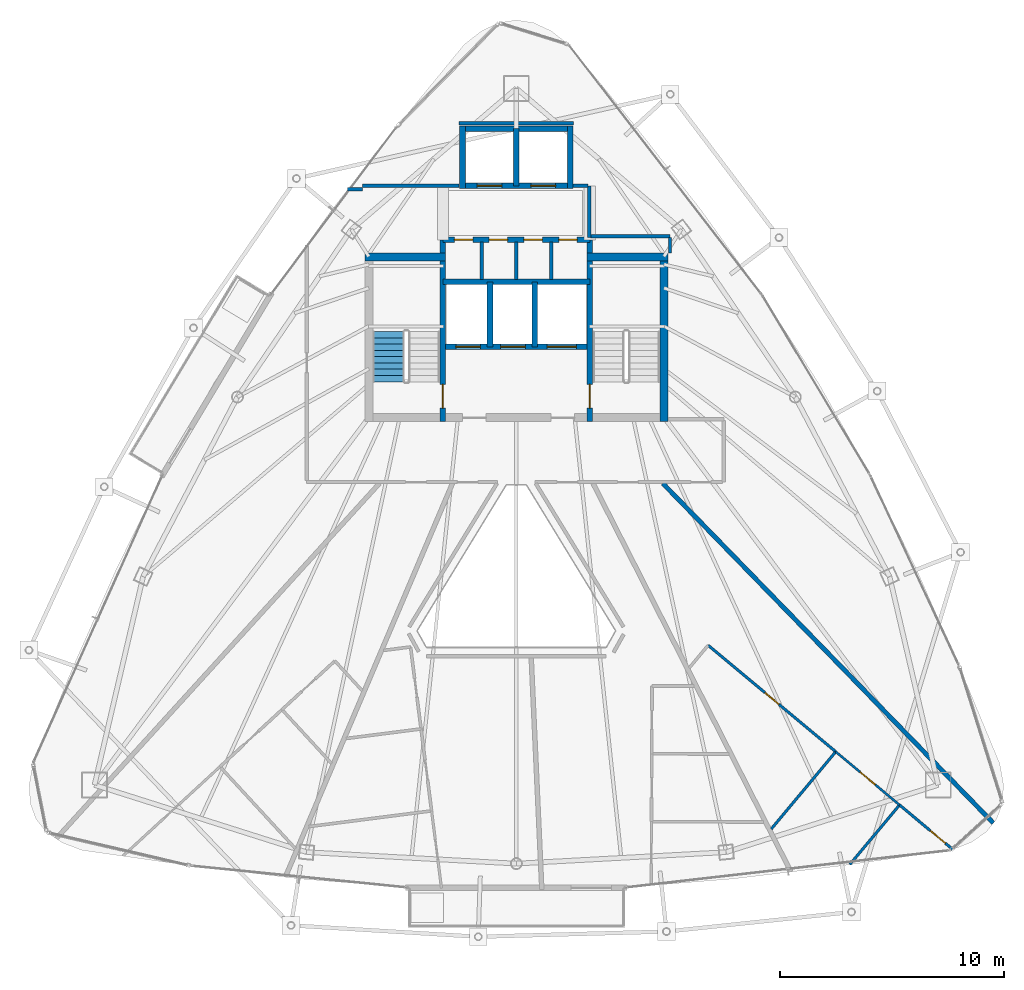
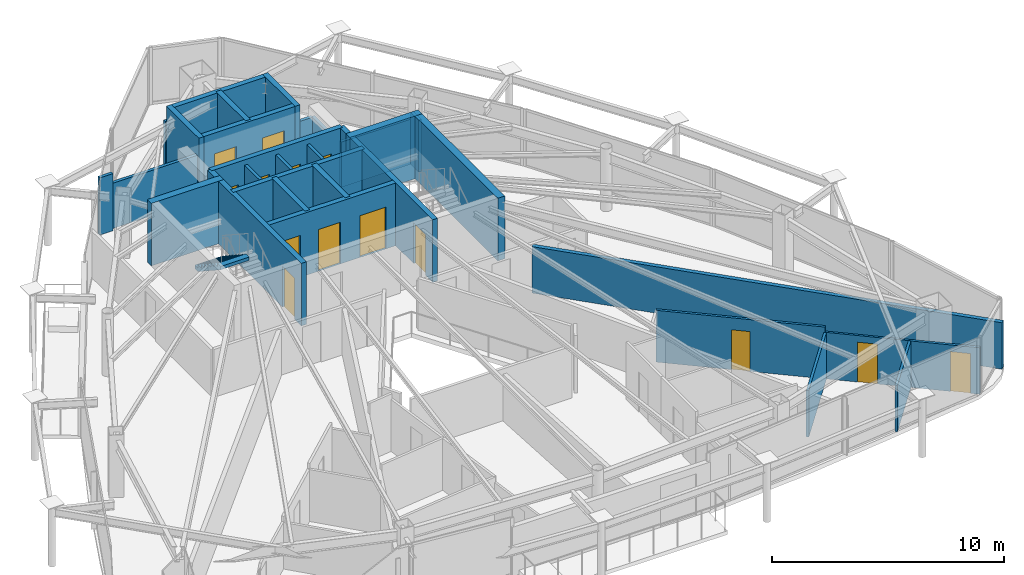
# One storey, part 27 of 30: 31 walls, 14 doors, 1 stair flight, 14 openings, 1 element without a shape of its own.
"""IFC4 building model written with IfcOpenShell, lengths in metres."""

from ifc_helpers import new_model, si_unit, direction, frame, frame_2d, origin, place, context, subcontext, project, spatial, polyline, rectangle, outline, extrude, material, layer, layer_set, type_object, element, fill, aggregate, save


model = new_model("IFC4")

# Units and contexts
model_context = context("Model", 3, precision=1e-05, world=origin(), true_north=direction((0.0, 1.0)))
body_context = subcontext(model_context, "Body", "Model", "MODEL_VIEW")
ifc_project = project(units=[si_unit("LENGTHUNIT", "METRE"), si_unit("AREAUNIT", "SQUARE_METRE"), si_unit("VOLUMEUNIT", "CUBIC_METRE"), si_unit("PLANEANGLEUNIT", "RADIAN"), si_unit("MASSUNIT", "GRAM", prefix="KILO")], contexts=[model_context])

# Site, building, storey
site_placement = place(None, origin())
site = spatial("IfcSite", under=ifc_project, at=site_placement, CompositionType="ELEMENT")
building_placement = place(site_placement, origin())
building = spatial("IfcBuilding", under=site, at=building_placement, Name="Orvanel Arch Residences", CompositionType="ELEMENT")
storey_placement = place(building_placement, frame((0.0, 0.0, 273.35009765625)))
storey = spatial("IfcBuildingStorey", under=building, at=storey_placement, Name="L78", CompositionType="ELEMENT", Elevation=273.35009765625)

# Wall, opening, door
ifc_material_1 = material(Name="Concrete N50 (50 MPa)", Category="concrete")
ifc_layer_1 = layer(ifc_material_1, 0.25)
ifc_layer_set_1 = layer_set([ifc_layer_1], Name="Concrete N50 (50 MPa)")
wall_type_1 = type_object("IfcWallType", Name="SW-CORE-250", PredefinedType="SHEAR", material=ifc_layer_set_1)
wall_1_placement = place(storey_placement, frame((29.72509765625, 26.550048828125, 0.0), z_axis=(0.0, 0.0, 1.0), x_axis=(0.0, 1.0, 0.0)))
wall_1 = element("IfcWall", 1, at=wall_1_placement, inside=storey, type_object=wall_type_1, Name="L78 West Inner Core Spine Shear Wall", PredefinedType="SHEAR", context=body_context, shape_type="SweptSolid", body=[
    extrude(rectangle(XDim=8.099853515625, YDim=0.25, at=frame_2d((4.0498046875, 0.0))), origin(), (0.0, 0.0, 1.0), 3.2998046875),
])
opening_1_placement = place(wall_1_placement, frame((0.60009765625, 0.0, 0.0)))
opening_1 = element("IfcOpeningElement", 2, at=opening_1_placement, cuts=wall_1, Name="Opening DF-120", PredefinedType="OPENING", context=body_context, shape_type="SweptSolid", body=[
    extrude(rectangle(XDim=1.050048828125, YDim=2.14990234375, at=frame_2d((0.52490234375, 1.074951171875))), frame((0.0, 0.135009765625, 0.0), z_axis=(0.0, -1.0, 0.0), x_axis=(1.0, 0.0, 0.0)), (0.0, 0.0, 1.0), 0.27001953125),
])
ifc_material_2 = material(Name="Galvanised steel fire-resisting door assembly", Category="steel")
door_type_1 = type_object("IfcDoorType", Name="DR-FD120-1050", OperationType="NOTDEFINED", PredefinedType="DOOR", material=ifc_material_2)
door_1_placement = place(opening_1_placement, origin())
door_1 = element("IfcDoor", 3, at=door_1_placement, inside=storey, type_object=door_type_1, Name="DR-L78-ST1 L78 Stair 1 Fire Door", OperationType="SINGLE_SWING_LEFT", OverallHeight=2.14990234375, OverallWidth=1.050048828125, PredefinedType="DOOR", context=body_context, shape_type="SweptSolid", body=[
    extrude(rectangle(XDim=1.050048828125, YDim=2.14990234375, at=frame_2d((0.52490234375, 1.074951171875))), frame((0.0, 0.02490234375, 0.0), z_axis=(0.0, -1.0, 0.0), x_axis=(1.0, 0.0, 0.0)), (0.0, 0.0, 1.0), 0.050048828125),
])
fill(opening_1, door_1)

wall_2_placement = place(storey_placement, frame((36.27490234375, 26.550048828125, 0.0), z_axis=(0.0, 0.0, 1.0), x_axis=(0.0, 1.0, 0.0)))
wall_2 = element("IfcWall", 4, at=wall_2_placement, inside=storey, type_object=wall_type_1, Name="L78 East Inner Core Spine Shear Wall", PredefinedType="SHEAR", context=body_context, shape_type="SweptSolid", body=[
    extrude(rectangle(XDim=8.099853515625, YDim=0.25, at=frame_2d((4.0498046875, 0.0))), origin(), (0.0, 0.0, 1.0), 3.2998046875),
])
opening_2_placement = place(wall_2_placement, frame((0.60009765625, 0.0, 0.0)))
opening_2 = element("IfcOpeningElement", 5, at=opening_2_placement, cuts=wall_2, Name="Opening DF-120", PredefinedType="OPENING", context=body_context, shape_type="SweptSolid", body=[
    extrude(rectangle(XDim=1.050048828125, YDim=2.14990234375, at=frame_2d((0.52490234375, 1.074951171875))), frame((0.0, 0.135009765625, 0.0), z_axis=(0.0, -1.0, 0.0), x_axis=(1.0, 0.0, 0.0)), (0.0, 0.0, 1.0), 0.27001953125),
])
door_2_placement = place(opening_2_placement, origin())
door_2 = element("IfcDoor", 6, at=door_2_placement, inside=storey, type_object=door_type_1, Name="DR-L78-ST2 L78 Stair 2 Fire Door", OperationType="SINGLE_SWING_RIGHT", OverallHeight=2.14990234375, OverallWidth=1.050048828125, PredefinedType="DOOR", context=body_context, shape_type="SweptSolid", body=[
    extrude(rectangle(XDim=1.050048828125, YDim=2.14990234375, at=frame_2d((0.52490234375, 1.074951171875))), frame((0.0, 0.02490234375, 0.0), z_axis=(0.0, -1.0, 0.0), x_axis=(1.0, 0.0, 0.0)), (0.0, 0.0, 1.0), 0.050048828125),
])
fill(opening_2, door_2)

# Wall, openings, doors
wall_3_placement = place(storey_placement, frame((36.27490234375, 29.875, 0.0), z_axis=(0.0, 0.0, 1.0), x_axis=(-1.0, 0.0, 0.0)))
wall_3 = element("IfcWall", 7, at=wall_3_placement, inside=storey, type_object=wall_type_1, Name="L78 Emergency Lift Front Core Shear Wall", PredefinedType="SHEAR", context=body_context, shape_type="SweptSolid", body=[
    extrude(rectangle(XDim=6.5498046875, YDim=0.25, at=frame_2d((3.27490234375, 0.0))), origin(), (0.0, 0.0, 1.0), 3.2998046875),
])
opening_3_placement = place(wall_3_placement, frame((4.875, 0.0, 0.0)))
opening_3 = element("IfcOpeningElement", 8, at=opening_3_placement, cuts=wall_3, Name="Opening LD-110", PredefinedType="OPENING", context=body_context, shape_type="SweptSolid", body=[
    extrude(rectangle(XDim=1.10009765625, YDim=2.199951171875, at=frame_2d((0.550048828125, 1.10009765625))), frame((0.0, 0.135009765625, 0.0), z_axis=(0.0, -1.0, 0.0), x_axis=(1.0, 0.0, 0.0)), (0.0, 0.0, 1.0), 0.27001953125),
])
opening_4_placement = place(wall_3_placement, frame((2.875, 0.0, 0.0)))
opening_4 = element("IfcOpeningElement", 9, at=opening_4_placement, cuts=wall_3, Name="Opening LD-110", PredefinedType="OPENING", context=body_context, shape_type="SweptSolid", body=[
    extrude(rectangle(XDim=1.10009765625, YDim=2.199951171875, at=frame_2d((0.550048828125, 1.10009765625))), frame((0.0, 0.135009765625, 0.0), z_axis=(0.0, -1.0, 0.0), x_axis=(1.0, 0.0, 0.0)), (0.0, 0.0, 1.0), 0.27001953125),
])
opening_5_placement = place(wall_3_placement, frame((0.60009765625, 0.0, 0.0)))
opening_5 = element("IfcOpeningElement", 10, at=opening_5_placement, cuts=wall_3, Name="Opening LD-130", PredefinedType="OPENING", context=body_context, shape_type="SweptSolid", body=[
    extrude(rectangle(XDim=1.300048828125, YDim=2.199951171875, at=frame_2d((0.64990234375, 1.10009765625))), frame((0.0, 0.135009765625, 0.0), z_axis=(0.0, -1.0, 0.0), x_axis=(1.0, 0.0, 0.0)), (0.0, 0.0, 1.0), 0.27001953125),
])
door_type_2 = type_object("IfcDoorType", Name="DR-LFT-1100", OperationType="NOTDEFINED", PredefinedType="DOOR", material=ifc_material_2)
door_3_placement = place(opening_3_placement, origin())
door_3 = element("IfcDoor", 11, at=door_3_placement, inside=storey, type_object=door_type_2, Name="LD-F1-L78 L78 Lift F1 Sliding Landing Door", OperationType="DOUBLE_DOOR_SLIDING", OverallHeight=2.199951171875, OverallWidth=1.10009765625, PredefinedType="DOOR", context=body_context, shape_type="SweptSolid", body=[
    extrude(rectangle(XDim=1.10009765625, YDim=2.199951171875, at=frame_2d((0.550048828125, 1.10009765625))), frame((0.0, 0.02490234375, 0.0), z_axis=(0.0, -1.0, 0.0), x_axis=(1.0, 0.0, 0.0)), (0.0, 0.0, 1.0), 0.050048828125),
])
fill(opening_3, door_3)
door_4_placement = place(opening_4_placement, origin())
door_4 = element("IfcDoor", 12, at=door_4_placement, inside=storey, type_object=door_type_2, Name="LD-F2-L78 L78 Lift F2 Sliding Landing Door", OperationType="DOUBLE_DOOR_SLIDING", OverallHeight=2.199951171875, OverallWidth=1.10009765625, PredefinedType="DOOR", context=body_context, shape_type="SweptSolid", body=[
    extrude(rectangle(XDim=1.10009765625, YDim=2.199951171875, at=frame_2d((0.550048828125, 1.10009765625))), frame((0.0, 0.02490234375, 0.0), z_axis=(0.0, -1.0, 0.0), x_axis=(1.0, 0.0, 0.0)), (0.0, 0.0, 1.0), 0.050048828125),
])
fill(opening_4, door_4)
door_type_3 = type_object("IfcDoorType", Name="DR-LFT-1300", OperationType="NOTDEFINED", PredefinedType="DOOR", material=ifc_material_2)
door_5_placement = place(opening_5_placement, origin())
door_5 = element("IfcDoor", 13, at=door_5_placement, inside=storey, type_object=door_type_3, Name="LD-G1-L78 L78 Lift G1 Sliding Landing Door", OperationType="DOUBLE_DOOR_SLIDING", OverallHeight=2.199951171875, OverallWidth=1.300048828125, PredefinedType="DOOR", context=body_context, shape_type="SweptSolid", body=[
    extrude(rectangle(XDim=1.300048828125, YDim=2.199951171875, at=frame_2d((0.64990234375, 1.10009765625))), frame((0.0, 0.02490234375, 0.0), z_axis=(0.0, -1.0, 0.0), x_axis=(1.0, 0.0, 0.0)), (0.0, 0.0, 1.0), 0.050048828125),
])
fill(opening_5, door_5)

# Walls
wall_4_placement = place(storey_placement, frame((29.72509765625, 32.77490234375, 0.0), z_axis=(0.0, 0.0, 1.0), x_axis=(1.0, 0.0, 0.0)))
element("IfcWall", 14, at=wall_4_placement, inside=storey, type_object=wall_type_1, Name="L78 Emergency Lift Back Core Shear Wall", PredefinedType="SHEAR", context=body_context, shape_type="SweptSolid", body=[
    extrude(rectangle(XDim=6.5498046875, YDim=0.25, at=frame_2d((3.27490234375, 0.0))), origin(), (0.0, 0.0, 1.0), 3.2998046875),
])
for number, where, z_axis, x_axis, name in (
    (15, (31.824951171875, 29.875, 0.0), (0.0, 0.0, 1.0), (0.0, 1.0, 0.0), "L78 Emergency Lift Inter-Shaft Wall F12"),
    (16, (33.824951171875, 29.875, 0.0), (0.0, 0.0, 1.0), (0.0, 1.0, 0.0), "L78 Emergency Lift Inter-Shaft Wall F2G"),
):
    element("IfcWall", number, at=place(storey_placement, frame(where, z_axis=z_axis, x_axis=x_axis)), inside=storey, type_object=wall_type_1, Name=name, PredefinedType="SHEAR", context=body_context, shape_type="SweptSolid", body=[
        extrude(rectangle(XDim=2.89990234375, YDim=0.25, at=frame_2d((1.449951171875, 0.0))), origin(), (0.0, 0.0, 1.0), 3.2998046875),
    ])

# Wall, openings, doors
wall_5_placement = place(storey_placement, frame((29.72509765625, 34.64990234375, 0.0), z_axis=(0.0, 0.0, 1.0), x_axis=(1.0, 0.0, 0.0)))
wall_5 = element("IfcWall", 17, at=wall_5_placement, inside=storey, type_object=wall_type_1, Name="L78 Core Service Band North Shear Wall", PredefinedType="SHEAR", context=body_context, shape_type="SweptSolid", body=[
    extrude(rectangle(XDim=6.5498046875, YDim=0.25, at=frame_2d((3.27490234375, 0.0))), origin(), (0.0, 0.0, 1.0), 3.2998046875),
])
opening_6_placement = place(wall_5_placement, frame((0.514892578125, 0.0, 0.0)))
opening_6 = element("IfcOpeningElement", 18, at=opening_6_placement, cuts=wall_5, Name="Opening DS-082", PredefinedType="OPENING", context=body_context, shape_type="SweptSolid", body=[
    extrude(rectangle(XDim=0.820068359375, YDim=2.10009765625, at=frame_2d((0.41015625, 1.050048828125))), frame((0.0, 0.135009765625, 0.0), z_axis=(0.0, -1.0, 0.0), x_axis=(1.0, 0.0, 0.0)), (0.0, 0.0, 1.0), 0.27001953125),
])
opening_7_placement = place(wall_5_placement, frame((2.06494140625, 0.0, 0.0)))
opening_7 = element("IfcOpeningElement", 19, at=opening_7_placement, cuts=wall_5, Name="Opening DS-082", PredefinedType="OPENING", context=body_context, shape_type="SweptSolid", body=[
    extrude(rectangle(XDim=0.820068359375, YDim=2.10009765625, at=frame_2d((0.41015625, 1.050048828125))), frame((0.0, 0.135009765625, 0.0), z_axis=(0.0, -1.0, 0.0), x_axis=(1.0, 0.0, 0.0)), (0.0, 0.0, 1.0), 0.27001953125),
])
opening_8_placement = place(wall_5_placement, frame((3.614990234375, 0.0, 0.0)))
opening_8 = element("IfcOpeningElement", 20, at=opening_8_placement, cuts=wall_5, Name="Opening DS-082", PredefinedType="OPENING", context=body_context, shape_type="SweptSolid", body=[
    extrude(rectangle(XDim=0.820068359375, YDim=2.10009765625, at=frame_2d((0.41015625, 1.050048828125))), frame((0.0, 0.135009765625, 0.0), z_axis=(0.0, -1.0, 0.0), x_axis=(1.0, 0.0, 0.0)), (0.0, 0.0, 1.0), 0.27001953125),
])
opening_9_placement = place(wall_5_placement, frame((5.1650390625, 0.0, 0.0)))
opening_9 = element("IfcOpeningElement", 21, at=opening_9_placement, cuts=wall_5, Name="Opening DS-082", PredefinedType="OPENING", context=body_context, shape_type="SweptSolid", body=[
    extrude(rectangle(XDim=0.820068359375, YDim=2.10009765625, at=frame_2d((0.41015625, 1.050048828125))), frame((0.0, 0.135009765625, 0.0), z_axis=(0.0, -1.0, 0.0), x_axis=(1.0, 0.0, 0.0)), (0.0, 0.0, 1.0), 0.27001953125),
])
door_type_4 = type_object("IfcDoorType", Name="DR-SVC-820", OperationType="NOTDEFINED", PredefinedType="DOOR", material=ifc_material_2)
door_6_placement = place(opening_6_placement, origin())
door_6 = element("IfcDoor", 22, at=door_6_placement, inside=storey, type_object=door_type_4, Name="DR-L78-CSVC-1 L78 Linen Store Door", OperationType="SINGLE_SWING_LEFT", OverallHeight=2.10009765625, OverallWidth=0.820068359375, PredefinedType="DOOR", context=body_context, shape_type="SweptSolid", body=[
    extrude(rectangle(XDim=0.820068359375, YDim=2.10009765625, at=frame_2d((0.41015625, 1.050048828125))), frame((0.0, 0.02490234375, 0.0), z_axis=(0.0, -1.0, 0.0), x_axis=(1.0, 0.0, 0.0)), (0.0, 0.0, 1.0), 0.050048828125),
])
fill(opening_6, door_6)
door_7_placement = place(opening_7_placement, origin())
door_7 = element("IfcDoor", 23, at=door_7_placement, inside=storey, type_object=door_type_4, Name="DR-L78-CSVC-2 L78 Cleaner's Store Door", OperationType="SINGLE_SWING_LEFT", OverallHeight=2.10009765625, OverallWidth=0.820068359375, PredefinedType="DOOR", context=body_context, shape_type="SweptSolid", body=[
    extrude(rectangle(XDim=0.820068359375, YDim=2.10009765625, at=frame_2d((0.41015625, 1.050048828125))), frame((0.0, 0.02490234375, 0.0), z_axis=(0.0, -1.0, 0.0), x_axis=(1.0, 0.0, 0.0)), (0.0, 0.0, 1.0), 0.050048828125),
])
fill(opening_7, door_7)
door_8_placement = place(opening_8_placement, origin())
door_8 = element("IfcDoor", 24, at=door_8_placement, inside=storey, type_object=door_type_4, Name="DR-L78-CSVC-3 L78 Electrical Meter Store Door", OperationType="SINGLE_SWING_LEFT", OverallHeight=2.10009765625, OverallWidth=0.820068359375, PredefinedType="DOOR", context=body_context, shape_type="SweptSolid", body=[
    extrude(rectangle(XDim=0.820068359375, YDim=2.10009765625, at=frame_2d((0.41015625, 1.050048828125))), frame((0.0, 0.02490234375, 0.0), z_axis=(0.0, -1.0, 0.0), x_axis=(1.0, 0.0, 0.0)), (0.0, 0.0, 1.0), 0.050048828125),
])
fill(opening_8, door_8)
door_9_placement = place(opening_9_placement, origin())
door_9 = element("IfcDoor", 25, at=door_9_placement, inside=storey, type_object=door_type_4, Name="DR-L78-CSVC-4 L78 Housekeeping Supply Store Door", OperationType="SINGLE_SWING_LEFT", OverallHeight=2.10009765625, OverallWidth=0.820068359375, PredefinedType="DOOR", context=body_context, shape_type="SweptSolid", body=[
    extrude(rectangle(XDim=0.820068359375, YDim=2.10009765625, at=frame_2d((0.41015625, 1.050048828125))), frame((0.0, 0.02490234375, 0.0), z_axis=(0.0, -1.0, 0.0), x_axis=(1.0, 0.0, 0.0)), (0.0, 0.0, 1.0), 0.050048828125),
])
fill(opening_9, door_9)

wall_6_placement = place(storey_placement, frame((35.52490234375, 37.050048828125, 0.0), z_axis=(0.0, 0.0, 1.0), x_axis=(-1.0, 0.0, 0.0)))
wall_6 = element("IfcWall", 26, at=wall_6_placement, inside=storey, type_object=wall_type_1, Name="L78 Passenger Lift Bank Front Shear Wall", PredefinedType="SHEAR", context=body_context, shape_type="SweptSolid", body=[
    extrude(rectangle(XDim=5.0498046875, YDim=0.25, at=frame_2d((2.52490234375, 0.0))), origin(), (0.0, 0.0, 1.0), 3.2998046875),
])
opening_10_placement = place(wall_6_placement, frame((3.175048828125, 0.0, 0.0)))
opening_10 = element("IfcOpeningElement", 27, at=opening_10_placement, cuts=wall_6, Name="Opening LD-110", PredefinedType="OPENING", context=body_context, shape_type="SweptSolid", body=[
    extrude(rectangle(XDim=1.10009765625, YDim=2.199951171875, at=frame_2d((0.550048828125, 1.10009765625))), frame((0.0, 0.135009765625, 0.0), z_axis=(0.0, -1.0, 0.0), x_axis=(1.0, 0.0, 0.0)), (0.0, 0.0, 1.0), 0.27001953125),
])
opening_11_placement = place(wall_6_placement, frame((0.77490234375, 0.0, 0.0)))
opening_11 = element("IfcOpeningElement", 28, at=opening_11_placement, cuts=wall_6, Name="Opening LD-110", PredefinedType="OPENING", context=body_context, shape_type="SweptSolid", body=[
    extrude(rectangle(XDim=1.10009765625, YDim=2.199951171875, at=frame_2d((0.550048828125, 1.10009765625))), frame((0.0, 0.135009765625, 0.0), z_axis=(0.0, -1.0, 0.0), x_axis=(1.0, 0.0, 0.0)), (0.0, 0.0, 1.0), 0.27001953125),
])
door_10_placement = place(opening_10_placement, origin())
door_10 = element("IfcDoor", 29, at=door_10_placement, inside=storey, type_object=door_type_2, Name="LD-P5-L78 L78 Passenger Lift P5 Sliding Landing Door", OperationType="DOUBLE_DOOR_SLIDING", OverallHeight=2.199951171875, OverallWidth=1.10009765625, PredefinedType="DOOR", context=body_context, shape_type="SweptSolid", body=[
    extrude(rectangle(XDim=1.10009765625, YDim=2.199951171875, at=frame_2d((0.550048828125, 1.10009765625))), frame((0.0, 0.02490234375, 0.0), z_axis=(0.0, -1.0, 0.0), x_axis=(1.0, 0.0, 0.0)), (0.0, 0.0, 1.0), 0.050048828125),
])
fill(opening_10, door_10)
door_11_placement = place(opening_11_placement, origin())
door_11 = element("IfcDoor", 30, at=door_11_placement, inside=storey, type_object=door_type_2, Name="LD-P6-L78 L78 Passenger Lift P6 Sliding Landing Door", OperationType="DOUBLE_DOOR_SLIDING", OverallHeight=2.199951171875, OverallWidth=1.10009765625, PredefinedType="DOOR", context=body_context, shape_type="SweptSolid", body=[
    extrude(rectangle(XDim=1.10009765625, YDim=2.199951171875, at=frame_2d((0.550048828125, 1.10009765625))), frame((0.0, 0.02490234375, 0.0), z_axis=(0.0, -1.0, 0.0), x_axis=(1.0, 0.0, 0.0)), (0.0, 0.0, 1.0), 0.050048828125),
])
fill(opening_11, door_11)

# Walls
wall_7_placement = place(storey_placement, frame((30.47509765625, 39.60009765625, 0.0), z_axis=(0.0, 0.0, 1.0), x_axis=(1.0, 0.0, 0.0)))
element("IfcWall", 31, at=wall_7_placement, inside=storey, type_object=wall_type_1, Name="L78 Passenger Lift Bank North Shear Wall", PredefinedType="SHEAR", context=body_context, shape_type="SweptSolid", body=[
    extrude(rectangle(XDim=5.0498046875, YDim=0.25, at=frame_2d((2.52490234375, 0.0))), origin(), (0.0, 0.0, 1.0), 3.2998046875),
])
for number, where, z_axis, x_axis, name in (
    (32, (30.60009765625, 36.925048828125, 0.0), (0.0, 0.0, 1.0), (0.0, 1.0, 0.0), "L78 Passenger Lift Bank West Shear Wall"),
    (33, (35.39990234375, 36.925048828125, 0.0), (0.0, 0.0, 1.0), (0.0, 1.0, 0.0), "L78 Passenger Lift Bank East Shear Wall"),
):
    element("IfcWall", number, at=place(storey_placement, frame(where, z_axis=z_axis, x_axis=x_axis)), inside=storey, type_object=wall_type_1, Name=name, PredefinedType="SHEAR", context=body_context, shape_type="SweptSolid", body=[
        extrude(rectangle(XDim=2.800048828125, YDim=0.25, at=frame_2d((1.39990234375, 0.0))), origin(), (0.0, 0.0, 1.0), 3.2998046875),
    ])
wall_8_placement = place(storey_placement, frame((33.0, 37.050048828125, 0.0), z_axis=(0.0, 0.0, 1.0), x_axis=(0.0, 1.0, 0.0)))
element("IfcWall", 34, at=wall_8_placement, inside=storey, type_object=wall_type_1, Name="L78 Passenger Lift Inter-Shaft Wall P56", PredefinedType="SHEAR", context=body_context, shape_type="SweptSolid", body=[
    extrude(rectangle(XDim=2.550048828125, YDim=0.25, at=frame_2d((1.27490234375, 0.0))), origin(), (0.0, 0.0, 1.0), 3.2998046875),
])
ifc_layer_2 = layer(ifc_material_1, 0.35009765625)
ifc_layer_set_2 = layer_set([ifc_layer_2], Name="Concrete N50 (50 MPa)")
wall_type_2 = type_object("IfcWallType", Name="SW-CORE-350", PredefinedType="SHEAR", material=ifc_layer_set_2)
wall_9_placement = place(storey_placement, frame((26.25, 33.875, 0.0), z_axis=(0.0, 0.0, 1.0), x_axis=(1.0, 0.0, 0.0)))
element("IfcWall", 35, at=wall_9_placement, inside=storey, type_object=wall_type_2, Name="L78 West Stair North Shear Wall", PredefinedType="SHEAR", context=body_context, shape_type="SweptSolid", body=[
    extrude(rectangle(XDim=3.60009765625, YDim=0.35009765625, at=frame_2d((1.800048828125, 0.0))), origin(), (0.0, 0.0, 1.0), 3.2998046875),
])
wall_10_placement = place(storey_placement, frame((39.574951171875, 26.550048828125, 0.0), z_axis=(0.0, 0.0, 1.0), x_axis=(0.0, 1.0, 0.0)))
element("IfcWall", 36, at=wall_10_placement, inside=storey, type_object=wall_type_2, Name="L78 East Stair Shear Wall", PredefinedType="SHEAR", context=body_context, shape_type="SweptSolid", body=[
    extrude(rectangle(XDim=7.5, YDim=0.35009765625, at=frame_2d((3.75, 0.0))), origin(), (0.0, 0.0, 1.0), 3.2998046875),
])
wall_11_placement = place(storey_placement, frame((36.14990234375, 33.875, 0.0), z_axis=(0.0, 0.0, 1.0), x_axis=(1.0, 0.0, 0.0)))
element("IfcWall", 37, at=wall_11_placement, inside=storey, type_object=wall_type_2, Name="L78 East Stair North Shear Wall", PredefinedType="SHEAR", context=body_context, shape_type="SweptSolid", body=[
    extrude(rectangle(XDim=3.60009765625, YDim=0.35009765625, at=frame_2d((1.800048828125, 0.0))), origin(), (0.0, 0.0, 1.0), 3.2998046875),
])
ifc_material_3 = material(Name="Fire-rated plasterboard lined steel stud partition", Category="steel")
ifc_layer_3 = layer(ifc_material_3, 0.14990234375)
ifc_layer_set_3 = layer_set([ifc_layer_3], Name="Fire-rated plasterboard lined steel stud partition")
wall_type_3 = type_object("IfcWallType", Name="W-COR-150", PredefinedType="PARTITIONING", material=ifc_layer_set_3)
wall_12_placement = place(storey_placement, frame((36.25, 34.760009765625, 0.0), z_axis=(0.0, 0.0, 1.0), x_axis=(0.0, 1.0, 0.0)))
element("IfcWall", 38, at=wall_12_placement, inside=storey, type_object=wall_type_3, Name="L78 Passenger Lift Lobby East Closure Wall", PredefinedType="PARTITIONING", context=body_context, shape_type="SweptSolid", body=[
    extrude(rectangle(XDim=2.2900390625, YDim=0.14990234375, at=frame_2d((1.14501953125, 0.0))), origin(), (0.0, 0.0, 1.0), 2.385009765625),
])
wall_13_placement = place(storey_placement, frame((35.52490234375, 37.050048828125, 0.0), z_axis=(0.0, 0.0, 1.0), x_axis=(1.0, 0.0, 0.0)))
element("IfcWall", 39, at=wall_13_placement, inside=storey, type_object=wall_type_3, Name="L78 Passenger Lift Lobby North-East Wall", PredefinedType="PARTITIONING", context=body_context, shape_type="SweptSolid", body=[
    extrude(rectangle(XDim=0.6650390625, YDim=0.14990234375, at=frame_2d((0.33251953125, 0.0))), origin(), (0.0, 0.0, 1.0), 2.385009765625),
])
wall_14_placement = place(storey_placement, frame((25.47705078125, 36.89990234375, 0.0), z_axis=(0.0, 0.0, 1.0), x_axis=(1.0, 0.0, 0.0)))
element("IfcWall", 40, at=wall_14_placement, inside=storey, type_object=wall_type_3, Name="L78 Corridor Fire-Rated Partition", PredefinedType="PARTITIONING", context=body_context, shape_type="SweptSolid", body=[
    extrude(rectangle(XDim=0.6728515625, YDim=0.14990234375, at=frame_2d((0.33642578125, 0.0))), origin(), (0.0, 0.0, 1.0), 3.02001953125),
])
wall_15_placement = place(storey_placement, frame((26.14990234375, 37.050048828125, 0.0), z_axis=(0.0, 0.0, 1.0), x_axis=(1.0, 0.0, 0.0)))
element("IfcWall", 41, at=wall_15_placement, inside=storey, type_object=wall_type_3, Name="L78 Core Perimeter Partition", PredefinedType="PARTITIONING", context=body_context, shape_type="SweptSolid", body=[
    extrude(rectangle(XDim=4.300048828125, YDim=0.14990234375, at=frame_2d((2.14990234375, 0.0))), origin(), (0.0, 0.0, 1.0), 2.385009765625),
])
wall_16_placement = place(storey_placement, frame((30.449951171875, 39.85009765625, 0.0), z_axis=(0.0, 0.0, 1.0), x_axis=(1.0, 0.0, 0.0)))
element("IfcWall", 42, at=wall_16_placement, inside=storey, type_object=wall_type_3, Name="L78 Core Perimeter Partition", PredefinedType="PARTITIONING", context=body_context, shape_type="SweptSolid", body=[
    extrude(rectangle(XDim=5.10009765625, YDim=0.14990234375, at=frame_2d((2.550048828125, 0.0))), origin(), (0.0, 0.0, 1.0), 2.451904296875),
])
wall_17_placement = place(storey_placement, frame((36.31005859375, 34.800048828125, 0.0), z_axis=(0.0, 0.0, 1.0), x_axis=(1.0, 0.0, 0.0)))
element("IfcWall", 43, at=wall_17_placement, inside=storey, type_object=wall_type_3, Name="L78 Core Perimeter Partition", PredefinedType="PARTITIONING", context=body_context, shape_type="SweptSolid", body=[
    extrude(rectangle(XDim=3.5400390625, YDim=0.14990234375, at=frame_2d((1.77001953125, 0.0))), origin(), (0.0, 0.0, 1.0), 2.385009765625),
])
wall_18_placement = place(storey_placement, frame((39.85009765625, 34.739990234375, 0.0), z_axis=(0.0, 0.0, 1.0), x_axis=(0.0, -1.0, 0.0)))
element("IfcWall", 44, at=wall_18_placement, inside=storey, type_object=wall_type_3, Name="L78 Core Perimeter Partition", PredefinedType="PARTITIONING", context=body_context, shape_type="SweptSolid", body=[
    extrude(rectangle(XDim=0.68994140625, YDim=0.14990234375, at=frame_2d((0.344970703125, 0.0))), origin(), (0.0, 0.0, 1.0), 2.73291015625),
])
ifc_layer_4 = layer(ifc_material_3, 0.199951171875)
ifc_layer_set_4 = layer_set([ifc_layer_4], Name="Fire-rated plasterboard lined steel stud partition")
wall_type_4 = type_object("IfcWallType", Name="W-DEM-200", PredefinedType="PARTITIONING", material=ifc_layer_set_4)
wall_19_placement = place(storey_placement, frame((54.2548828125, 8.656982421875, 0.0), z_axis=(0.0, 0.0, 1.0), x_axis=(-0.69739814005, 0.716683915164, 0.0)))
element("IfcWall", 45, at=wall_19_placement, inside=storey, type_object=wall_type_4, Name="L78 Inter-Tenancy Acoustic Demising Wall", PredefinedType="PARTITIONING", context=body_context, shape_type="SweptSolid", body=[
    extrude(rectangle(XDim=21.115478515625, YDim=0.199951171875, at=frame_2d((10.5576171875, 0.0))), origin(), (0.0, 0.0, 1.0), 2.451904296875),
])

# Wall, opening, door
ifc_material_4 = material(Name="Acoustic plasterboard lined twin-stud partition", Category="gypsum")
ifc_layer_5 = layer(ifc_material_4, 0.10009765625)
ifc_layer_set_5 = layer_set([ifc_layer_5], Name="Acoustic plasterboard lined twin-stud partition")
wall_type_5 = type_object("IfcWallType", Name="W-INT-100", PredefinedType="PARTITIONING", material=ifc_layer_set_5)
wall_20_placement = place(storey_placement, frame((50.0791015625, 9.4580078125, 0.0), z_axis=(0.0, 0.0, 1.0), x_axis=(-0.767707674805, 0.640800223195, 0.0)))
wall_20 = element("IfcWall", 46, at=wall_20_placement, inside=storey, type_object=wall_type_5, Name="L78 Studio B Internal Partition", PredefinedType="PARTITIONING", context=body_context, shape_type="SweptSolid", body=[
    extrude(rectangle(XDim=3.703369140625, YDim=0.10009765625, at=frame_2d((1.8515625, 0.0))), origin(), (0.0, 0.0, 1.0), 2.451904296875),
])
opening_12_placement = place(wall_20_placement, frame((1.412109375, 0.0, 0.0)))
opening_12 = element("IfcOpeningElement", 47, at=opening_12_placement, cuts=wall_20, Name="Opening DI-088", PredefinedType="OPENING", context=body_context, shape_type="SweptSolid", body=[
    extrude(rectangle(XDim=0.8798828125, YDim=2.10009765625, at=frame_2d((0.43994140625, 1.050048828125))), frame((0.0, 0.06005859375, 0.0), z_axis=(0.0, -1.0, 0.0), x_axis=(1.0, 0.0, 0.0)), (0.0, 0.0, 1.0), 0.1201171875),
])
ifc_material_5 = material(Name="Solid-core European oak veneer fire door leaf", Category="wood")
door_type_5 = type_object("IfcDoorType", Name="DR-INT-880", OperationType="NOTDEFINED", PredefinedType="DOOR", material=ifc_material_5)
door_12_placement = place(opening_12_placement, origin())
door_12 = element("IfcDoor", 48, at=door_12_placement, inside=storey, type_object=door_type_5, Name="DR-L78-B-CAR1 L78 Studio B Allied Health Consulting Room 2 Door", OperationType="SINGLE_SWING_LEFT", OverallHeight=2.10009765625, OverallWidth=0.8798828125, PredefinedType="DOOR", context=body_context, shape_type="SweptSolid", body=[
    extrude(rectangle(XDim=0.8798828125, YDim=2.10009765625, at=frame_2d((0.43994140625, 1.050048828125))), frame((0.0, 0.02490234375, 0.0), z_axis=(0.0, -1.0, 0.0), x_axis=(1.0, 0.0, 0.0)), (0.0, 0.0, 1.0), 0.050048828125),
])
fill(opening_12, door_12)

# Walls
ifc_layer_6 = layer(ifc_material_3, 0.14990234375)
ifc_layer_set_6 = layer_set([ifc_layer_6], Name="Fire-rated plasterboard lined steel stud partition")
wall_type_6 = type_object("IfcWallType", Name="W-ST-150", PredefinedType="PARTITIONING", material=ifc_layer_set_6)
for number, where, z_axis, x_axis, name in (
    (49, (31.449951171875, 32.885009765625, 0.0), (0.0, 0.0, 1.0), (0.0, 1.0, 0.0), "L78 Core Service Partition 1"),
    (50, (33.0, 32.885009765625, 0.0), (0.0, 0.0, 1.0), (0.0, 1.0, 0.0), "L78 Core Service Partition 2"),
    (51, (34.550048828125, 32.885009765625, 0.0), (0.0, 0.0, 1.0), (0.0, 1.0, 0.0), "L78 Core Service Partition 3"),
):
    element("IfcWall", number, at=place(storey_placement, frame(where, z_axis=z_axis, x_axis=x_axis)), inside=storey, type_object=wall_type_6, Name=name, PredefinedType="PARTITIONING", context=body_context, shape_type="SweptSolid", body=[
        extrude(rectangle(XDim=1.655029296875, YDim=0.14990234375, at=frame_2d((0.82763671875, 0.0))), origin(), (0.0, 0.0, 1.0), 3.02001953125),
    ])

# Wall, opening, door
ifc_layer_7 = layer(ifc_material_4, 0.1201171875)
ifc_layer_set_7 = layer_set([ifc_layer_7], Name="Acoustic plasterboard lined twin-stud partition")
wall_type_7 = type_object("IfcWallType", Name="W-WET-120", PredefinedType="PARTITIONING", material=ifc_layer_set_7)
wall_21_placement = place(storey_placement, frame((47.236083984375, 11.8310546875, 0.0), z_axis=(0.0, 0.0, 1.0), x_axis=(-0.767842880201, 0.640638206264, 0.0)))
wall_21 = element("IfcWall", 52, at=wall_21_placement, inside=storey, type_object=wall_type_7, Name="L78 Studio B Bathroom Partition", PredefinedType="PARTITIONING", context=body_context, shape_type="SweptSolid", body=[
    extrude(rectangle(XDim=7.406494140625, YDim=0.1201171875, at=frame_2d((3.703125, 0.0))), origin(), (0.0, 0.0, 1.0), 2.73291015625),
])
opening_13_placement = place(wall_21_placement, frame((3.29296875, 0.0, 0.0)))
opening_13 = element("IfcOpeningElement", 53, at=opening_13_placement, cuts=wall_21, Name="Opening DW-082", PredefinedType="OPENING", context=body_context, shape_type="SweptSolid", body=[
    extrude(rectangle(XDim=0.820068359375, YDim=2.10009765625, at=frame_2d((0.41015625, 1.050048828125))), frame((0.0, 0.070068359375, 0.0), z_axis=(0.0, -1.0, 0.0), x_axis=(1.0, 0.0, 0.0)), (0.0, 0.0, 1.0), 0.14013671875),
])
door_type_6 = type_object("IfcDoorType", Name="DR-WET-820", OperationType="NOTDEFINED", PredefinedType="DOOR", material=ifc_material_5)
door_13_placement = place(opening_13_placement, origin())
door_13 = element("IfcDoor", 54, at=door_13_placement, inside=storey, type_object=door_type_6, Name="DR-L78-B-BATH L78 Studio B Bathroom Door", OperationType="SINGLE_SWING_RIGHT", OverallHeight=2.10009765625, OverallWidth=0.820068359375, PredefinedType="DOOR", context=body_context, shape_type="SweptSolid", body=[
    extrude(rectangle(XDim=0.820068359375, YDim=2.10009765625, at=frame_2d((0.41015625, 1.050048828125))), frame((0.0, 0.02490234375, 0.0), z_axis=(0.0, -1.0, 0.0), x_axis=(1.0, 0.0, 0.0)), (0.0, 0.0, 1.0), 0.050048828125),
])
fill(opening_13, door_13)

wall_22_placement = place(storey_placement, frame((52.446044921875, 7.48291015625, 0.0), z_axis=(0.0, 0.0, 1.0), x_axis=(-0.76779917016, 0.640690591707, 0.0)))
wall_22 = element("IfcWall", 55, at=wall_22_placement, inside=storey, type_object=wall_type_7, Name="L78 Studio B Internal Partition", PredefinedType="PARTITIONING", context=body_context, shape_type="SweptSolid", body=[
    extrude(rectangle(XDim=3.082763671875, YDim=0.1201171875, at=frame_2d((1.54150390625, 0.0))), origin(), (0.0, 0.0, 1.0), 2.451904296875),
])
opening_14_placement = place(wall_22_placement, frame((0.41796875, 0.0, 0.0)))
opening_14 = element("IfcOpeningElement", 56, at=opening_14_placement, cuts=wall_22, Name="Opening DI-088", PredefinedType="OPENING", context=body_context, shape_type="SweptSolid", body=[
    extrude(rectangle(XDim=0.8798828125, YDim=2.10009765625, at=frame_2d((0.43994140625, 1.050048828125))), frame((0.0, 0.070068359375, 0.0), z_axis=(0.0, -1.0, 0.0), x_axis=(1.0, 0.0, 0.0)), (0.0, 0.0, 1.0), 0.14013671875),
])
door_14_placement = place(opening_14_placement, origin())
door_14 = element("IfcDoor", 57, at=door_14_placement, inside=storey, type_object=door_type_5, Name="DR-L78-B-KIT L78 Studio B Kitchenette Door", OperationType="SINGLE_SWING_LEFT", OverallHeight=2.10009765625, OverallWidth=0.8798828125, PredefinedType="DOOR", context=body_context, shape_type="SweptSolid", body=[
    extrude(rectangle(XDim=0.8798828125, YDim=2.10009765625, at=frame_2d((0.43994140625, 1.050048828125))), frame((0.0, 0.02490234375, 0.0), z_axis=(0.0, -1.0, 0.0), x_axis=(1.0, 0.0, 0.0)), (0.0, 0.0, 1.0), 0.050048828125),
])
fill(opening_14, door_14)

# Walls
wall_23_placement = place(storey_placement, frame((47.236083984375, 11.8310546875, 0.0), z_axis=(0.0, 0.0, 1.0), x_axis=(-0.640810637278, -0.767698982122, 0.0)))
element("IfcWall", 58, at=wall_23_placement, inside=storey, type_object=wall_type_7, Name="L78 Studio B Bathroom Partition", PredefinedType="PARTITIONING", context=body_context, shape_type="SweptSolid", body=[
    extrude(rectangle(XDim=4.48486328125, YDim=0.1201171875, at=frame_2d((2.242431640625, 0.0))), origin(), (0.0, 0.0, 1.0), 2.451904296875),
])
wall_24_placement = place(storey_placement, frame((47.865966796875, 6.806884765625, 0.0), z_axis=(0.0, 0.0, 1.0), x_axis=(0.640844750015, 0.767670506388, 0.0)))
element("IfcWall", 59, at=wall_24_placement, inside=storey, type_object=wall_type_7, Name="L78 Studio B Internal Partition", PredefinedType="PARTITIONING", context=body_context, shape_type="SweptSolid", body=[
    extrude(rectangle(XDim=3.453369140625, YDim=0.1201171875, at=frame_2d((1.7265625, 0.0))), origin(), (0.0, 0.0, 1.0), 2.451904296875),
])

# Stair, stair flight
ifc_material_6 = material(Name="Precast concrete N50 (50 MPa)", Category="concrete")
stair_type = type_object("IfcStairType", Name="STR-DOG-184", PredefinedType="USERDEFINED", material=ifc_material_6)
stair_placement = place(storey_placement, origin())
stair = element("IfcStair", 60, at=stair_placement, inside=storey, type_object=stair_type, Name="L78 Fire-Isolated Core Exit Stair 1", ObjectType="TWO_RETURN_STAIR", PredefinedType="USERDEFINED")
stair_flight_type = type_object("IfcStairFlightType", Name="SFL-C1-184", PredefinedType="STRAIGHT", material=ifc_material_6)
stair_flight_placement = place(storey_placement, frame((27.31005859375, 30.56005859375, 1.64990234375), z_axis=(0.0, 0.0, 1.0), x_axis=(0.0, -1.0, 0.0)))
stair_flight = element("IfcStairFlight", 61, at=stair_flight_placement, type_object=stair_flight_type, Name="ST-1 flight 2", NumberOfRisers=9, NumberOfTreads=8, PredefinedType="STRAIGHT", RiserHeight=0.183333333, TreadLength=0.28, context=body_context, shape_type="SweptSolid", body=[
    extrude(outline(polyline([(0.0, 0.0), (0.0, 0.183349609375), (0.280029296875, 0.183349609375), (0.280029296875, 0.36669921875), (0.56005859375, 0.36669921875), (0.56005859375, 0.550048828125), (0.840087890625, 0.550048828125), (0.840087890625, 0.7333984375), (1.1201171875, 0.7333984375), (1.1201171875, 0.916748046875), (1.39990234375, 0.916748046875), (1.39990234375, 1.10009765625), (1.679931640625, 1.10009765625), (1.679931640625, 1.283447265625), (1.9599609375, 1.283447265625), (1.9599609375, 1.466552734375), (2.239990234375, 1.466552734375), (2.239990234375, 1.64990234375), (2.239990234375, 1.28759765625), (0.273681640625, 0.0), (0.0, 0.0)])), frame((0.0, 0.7099609375, 0.0), z_axis=(0.0, -1.0, 0.0), x_axis=(1.0, 0.0, 0.0)), (0.0, 0.0, 1.0), 1.419921875),
])
aggregate(stair, [stair_flight])

save(model, "model.ifc")
